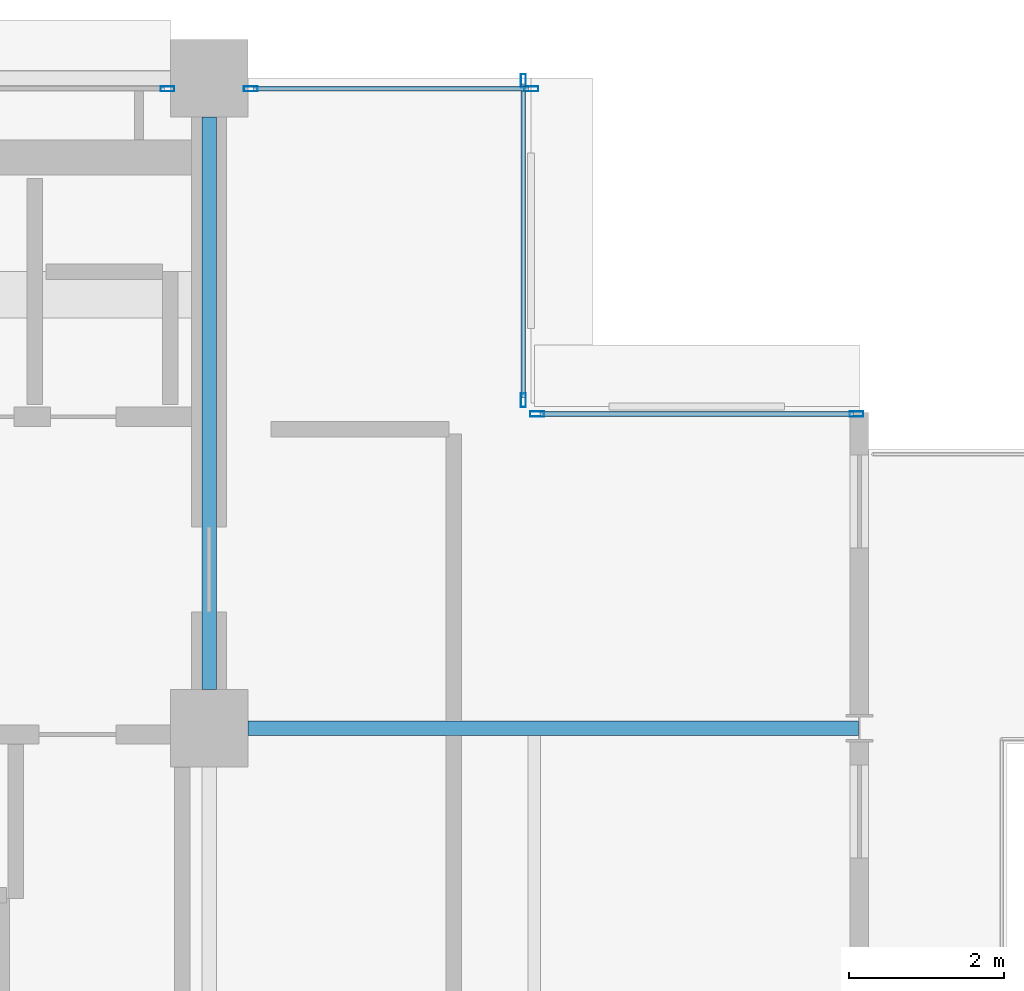
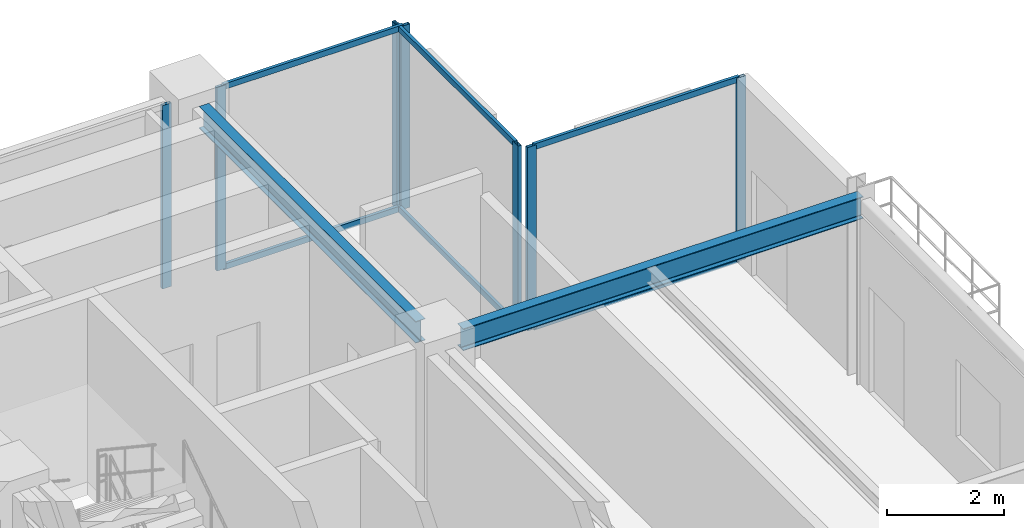
# One storey, part 18 of 26: 13 members, 2 beams, 4 elements without a shape of their own.
"""IFC4 building model written with IfcOpenShell, lengths in metres."""

from ifc_helpers import new_model, si_unit, direction, frame, origin, origin_2d, place, context, subcontext, project, spatial, hollow_rectangle, i_section, extrude, material, layer, layer_set, material_profile, profile_set, type_object, element, aggregate, save


model = new_model("IFC4")

# Units and contexts
model_context = context("Model", 3, precision=1e-05, world=origin(), true_north=direction((0.0, 1.0)))
body_context = subcontext(model_context, "Body", "Model", "MODEL_VIEW")
ifc_project = project(units=[si_unit("LENGTHUNIT", "METRE"), si_unit("AREAUNIT", "SQUARE_METRE"), si_unit("VOLUMEUNIT", "CUBIC_METRE"), si_unit("PLANEANGLEUNIT", "RADIAN"), si_unit("MASSUNIT", "GRAM", prefix="KILO")], contexts=[model_context])

# Site, building, storey
site_placement = place(None, origin())
site = spatial("IfcSite", under=ifc_project, at=site_placement, CompositionType="ELEMENT")
building_placement = place(site_placement, origin())
building = spatial("IfcBuilding", under=site, at=building_placement, Name="Nerrivon Quay Data Exchange", CompositionType="ELEMENT")
storey_placement = place(building_placement, frame((0.0, 0.0, 228.800048828125)))
storey = spatial("IfcBuildingStorey", under=building, at=storey_placement, Name="L54", CompositionType="ELEMENT", Elevation=228.800048828125)

# Beams
ifc_material_1 = material(Name="Steel Grade 350", Category="steel")
ifc_material_profile_1 = material_profile(ifc_material_1, i_section(OverallWidth=0.19091796875, OverallDepth=0.4599609375, WebThickness=0.010009765625, FlangeThickness=0.01611328125, FilletRadius=0.011474609375, at=origin_2d()), Name="460UB82.1")
ifc_profile_set_1 = profile_set([ifc_material_profile_1], Name="Steel Grade 350")
beam_type_1 = type_object("IfcBeamType", Name="BM-G5-460UB82", PredefinedType="BEAM", material=ifc_profile_set_1)
beam_1_placement = place(storey_placement, frame((17.300048828125, 33.60009765625, 3.594970703125), z_axis=(1.0, 0.0, 0.0), x_axis=(0.0, 1.0, 0.0)))
element("IfcBeam", 1, at=beam_1_placement, inside=storey, type_object=beam_type_1, Name="L54 EW Girder Y=33.6 (16.8..25.2)", PredefinedType="BEAM", context=body_context, shape_type="SweptSolid", body=[
    extrude(i_section(OverallWidth=0.19091796875, OverallDepth=0.4599609375, WebThickness=0.010009765625, FlangeThickness=0.01611328125, FilletRadius=0.011474609375, at=origin_2d()), origin(), (0.0, 0.0, 1.0), 7.889892578125),
])
ifc_material_profile_2 = material_profile(ifc_material_1, i_section(OverallWidth=0.18994140625, OverallDepth=0.4541015625, WebThickness=0.008544921875, FlangeThickness=0.0126953125, FilletRadius=0.011474609375, at=origin_2d()), Name="460UB67.1")
ifc_profile_set_2 = profile_set([ifc_material_profile_2], Name="Steel Grade 350")
beam_type_2 = type_object("IfcBeamType", Name="BM-G6-460UB67", PredefinedType="BEAM", material=ifc_profile_set_2)
beam_2_placement = place(storey_placement, frame((16.800048828125, 34.10009765625, 3.597900390625), z_axis=(0.0, 1.0, 0.0), x_axis=(-1.0, 0.0, 0.0)))
element("IfcBeam", 2, at=beam_2_placement, inside=storey, type_object=beam_type_2, Name="L54 NS Girder X=16.8 (33.6..42.0)", PredefinedType="BEAM", context=body_context, shape_type="SweptSolid", body=[
    extrude(i_section(OverallWidth=0.18994140625, OverallDepth=0.4541015625, WebThickness=0.008544921875, FlangeThickness=0.0126953125, FilletRadius=0.011474609375, at=origin_2d()), origin(), (0.0, 0.0, 1.0), 7.39990234375),
])

# Curtain wall, member
ifc_material_2 = material(Name="Anodised aluminium 6063-T6", Category="aluminium")
ifc_layer = layer(ifc_material_2, 0.195068359375)
ifc_layer_set = layer_set([ifc_layer], Name="Anodised aluminium 6063-T6")
curtain_wall_type = type_object("IfcCurtainWallType", Name="CW-SYS-06", PredefinedType="NOTDEFINED", material=ifc_layer_set)
curtain_wall_1_placement = place(storey_placement, origin())
curtain_wall_1 = element("IfcCurtainWall", 3, at=curtain_wall_1_placement, inside=storey, type_object=curtain_wall_type, Name="L54 Unitised Curtain Wall 18", PredefinedType="NOTDEFINED")
ifc_material_profile_3 = material_profile(ifc_material_2, hollow_rectangle(XDim=0.06494140625, YDim=0.179931640625, WallThickness=0.00341796875, at=origin_2d()), Name="ALU-MULL-180x65")
ifc_profile_set_3 = profile_set([ifc_material_profile_3], Name="Anodised aluminium 6063-T6")
member_type_1 = type_object("IfcMemberType", Name="CWM-180x65", PredefinedType="MULLION", material=ifc_profile_set_3)
member_1_placement = place(storey_placement, frame((16.262451171875, 41.860107421875, 0.0), z_axis=(0.0, 0.0, 1.0), x_axis=(0.0, 1.0, 0.0)))
member_1 = element("IfcMember", 4, at=member_1_placement, type_object=member_type_1, Name="CW06 mullion 2", PredefinedType="MULLION", context=body_context, shape_type="SweptSolid", body=[
    extrude(hollow_rectangle(XDim=0.06494140625, YDim=0.179931640625, WallThickness=0.00341796875, at=origin_2d()), origin(), (0.0, 0.0, 1.0), 3.824951171875),
])
aggregate(curtain_wall_1, [member_1])

# Curtain wall, members
curtain_wall_2_placement = place(storey_placement, origin())
curtain_wall_2 = element("IfcCurtainWall", 5, at=curtain_wall_2_placement, inside=storey, type_object=curtain_wall_type, Name="L54 Unitised Curtain Wall 19", PredefinedType="NOTDEFINED")
member_2_placement = place(storey_placement, frame((17.33740234375, 41.860107421875, 0.0), z_axis=(0.0, 0.0, 1.0), x_axis=(0.0, 1.0, 0.0)))
member_2 = element("IfcMember", 6, at=member_2_placement, type_object=member_type_1, Name="CW06 mullion 1", PredefinedType="MULLION", context=body_context, shape_type="SweptSolid", body=[
    extrude(hollow_rectangle(XDim=0.06494140625, YDim=0.179931640625, WallThickness=0.00341796875, at=origin_2d()), origin(), (0.0, 0.0, 1.0), 3.824951171875),
])
member_3_placement = place(storey_placement, frame((20.96240234375, 41.860107421875, 0.0), z_axis=(0.0, 0.0, 1.0), x_axis=(0.0, 1.0, 0.0)))
member_3 = element("IfcMember", 7, at=member_3_placement, type_object=member_type_1, Name="CW06 mullion 2", PredefinedType="MULLION", context=body_context, shape_type="SweptSolid", body=[
    extrude(hollow_rectangle(XDim=0.06494140625, YDim=0.179931640625, WallThickness=0.00341796875, at=origin_2d()), origin(), (0.0, 0.0, 1.0), 3.824951171875),
])

curtain_wall_3_placement = place(storey_placement, origin())
curtain_wall_3 = element("IfcCurtainWall", 8, at=curtain_wall_3_placement, inside=storey, type_object=curtain_wall_type, Name="L54 Unitised Curtain Wall 20", PredefinedType="NOTDEFINED")
member_4_placement = place(storey_placement, frame((20.860107421875, 41.96240234375, 0.0), z_axis=(0.0, 0.0, 1.0), x_axis=(1.0, 0.0, 0.0)))
member_4 = element("IfcMember", 9, at=member_4_placement, type_object=member_type_1, Name="CW06 mullion 1", PredefinedType="MULLION", context=body_context, shape_type="SweptSolid", body=[
    extrude(hollow_rectangle(XDim=0.06494140625, YDim=0.179931640625, WallThickness=0.00341796875, at=origin_2d()), origin(), (0.0, 0.0, 1.0), 3.824951171875),
])
member_5_placement = place(storey_placement, frame((20.860107421875, 37.83740234375, 0.0), z_axis=(0.0, 0.0, 1.0), x_axis=(1.0, 0.0, 0.0)))
member_5 = element("IfcMember", 10, at=member_5_placement, type_object=member_type_1, Name="CW06 mullion 2", PredefinedType="MULLION", context=body_context, shape_type="SweptSolid", body=[
    extrude(hollow_rectangle(XDim=0.06494140625, YDim=0.179931640625, WallThickness=0.00341796875, at=origin_2d()), origin(), (0.0, 0.0, 1.0), 3.824951171875),
])

curtain_wall_4_placement = place(storey_placement, origin())
curtain_wall_4 = element("IfcCurtainWall", 11, at=curtain_wall_4_placement, inside=storey, type_object=curtain_wall_type, Name="L54 Unitised Curtain Wall 21", PredefinedType="NOTDEFINED")
member_6_placement = place(storey_placement, frame((21.03759765625, 37.659912109375, 0.0), z_axis=(0.0, 0.0, 1.0), x_axis=(0.0, 1.0, 0.0)))
member_6 = element("IfcMember", 12, at=member_6_placement, type_object=member_type_1, Name="CW06 mullion 1", PredefinedType="MULLION", context=body_context, shape_type="SweptSolid", body=[
    extrude(hollow_rectangle(XDim=0.06494140625, YDim=0.179931640625, WallThickness=0.00341796875, at=origin_2d()), origin(), (0.0, 0.0, 1.0), 3.824951171875),
])
member_7_placement = place(storey_placement, frame((25.16259765625, 37.659912109375, 0.0), z_axis=(0.0, 0.0, 1.0), x_axis=(0.0, 1.0, 0.0)))
member_7 = element("IfcMember", 13, at=member_7_placement, type_object=member_type_1, Name="CW06 mullion 2", PredefinedType="MULLION", context=body_context, shape_type="SweptSolid", body=[
    extrude(hollow_rectangle(XDim=0.06494140625, YDim=0.179931640625, WallThickness=0.00341796875, at=origin_2d()), origin(), (0.0, 0.0, 1.0), 3.824951171875),
])

# Member
ifc_material_profile_4 = material_profile(ifc_material_2, hollow_rectangle(XDim=0.06005859375, YDim=0.1201171875, WallThickness=0.003173828125, at=origin_2d()), Name="ALU-TRAN-120x60")
ifc_profile_set_4 = profile_set([ifc_material_profile_4], Name="Anodised aluminium 6063-T6")
member_type_2 = type_object("IfcMemberType", Name="CWT-120x60", PredefinedType="USERDEFINED", material=ifc_profile_set_4)
member_8_placement = place(storey_placement, frame((17.375, 41.860107421875, 0.032470703125), z_axis=(1.0, 0.0, 0.0), x_axis=(0.0, 1.0, 0.0)))
member_8 = element("IfcMember", 14, at=member_8_placement, type_object=member_type_2, Name="CW06 transom 1.1", ObjectType="TRANSOM", PredefinedType="USERDEFINED", context=body_context, shape_type="SweptSolid", body=[
    extrude(hollow_rectangle(XDim=0.06005859375, YDim=0.1201171875, WallThickness=0.003173828125, at=origin_2d()), origin(), (0.0, 0.0, 1.0), 3.550048828125),
])

member_9_placement = place(storey_placement, frame((17.375, 41.860107421875, 3.79248046875), z_axis=(1.0, 0.0, 0.0), x_axis=(0.0, 1.0, 0.0)))
member_9 = element("IfcMember", 15, at=member_9_placement, type_object=member_type_2, Name="CW06 transom 1.2", ObjectType="TRANSOM", PredefinedType="USERDEFINED", context=body_context, shape_type="SweptSolid", body=[
    extrude(hollow_rectangle(XDim=0.06005859375, YDim=0.1201171875, WallThickness=0.003173828125, at=origin_2d()), origin(), (0.0, 0.0, 1.0), 3.550048828125),
])

aggregate(curtain_wall_2, [member_2, member_3, member_8, member_9])

member_10_placement = place(storey_placement, frame((20.860107421875, 41.925048828125, 0.032470703125), z_axis=(0.0, -1.0, 0.0), x_axis=(1.0, 0.0, 0.0)))
member_10 = element("IfcMember", 16, at=member_10_placement, type_object=member_type_2, Name="CW06 transom 1.1", ObjectType="TRANSOM", PredefinedType="USERDEFINED", context=body_context, shape_type="SweptSolid", body=[
    extrude(hollow_rectangle(XDim=0.06005859375, YDim=0.1201171875, WallThickness=0.003173828125, at=origin_2d()), origin(), (0.0, 0.0, 1.0), 4.050048828125),
])

member_11_placement = place(storey_placement, frame((20.860107421875, 41.925048828125, 3.79248046875), z_axis=(0.0, -1.0, 0.0), x_axis=(1.0, 0.0, 0.0)))
member_11 = element("IfcMember", 17, at=member_11_placement, type_object=member_type_2, Name="CW06 transom 1.2", ObjectType="TRANSOM", PredefinedType="USERDEFINED", context=body_context, shape_type="SweptSolid", body=[
    extrude(hollow_rectangle(XDim=0.06005859375, YDim=0.1201171875, WallThickness=0.003173828125, at=origin_2d()), origin(), (0.0, 0.0, 1.0), 4.050048828125),
])

aggregate(curtain_wall_3, [member_4, member_5, member_10, member_11])

member_12_placement = place(storey_placement, frame((21.074951171875, 37.659912109375, 0.032470703125), z_axis=(1.0, 0.0, 0.0), x_axis=(0.0, 1.0, 0.0)))
member_12 = element("IfcMember", 18, at=member_12_placement, type_object=member_type_2, Name="CW06 transom 1.1", ObjectType="TRANSOM", PredefinedType="USERDEFINED", context=body_context, shape_type="SweptSolid", body=[
    extrude(hollow_rectangle(XDim=0.06005859375, YDim=0.1201171875, WallThickness=0.003173828125, at=origin_2d()), origin(), (0.0, 0.0, 1.0), 4.050048828125),
])

member_13_placement = place(storey_placement, frame((21.074951171875, 37.659912109375, 3.79248046875), z_axis=(1.0, 0.0, 0.0), x_axis=(0.0, 1.0, 0.0)))
member_13 = element("IfcMember", 19, at=member_13_placement, type_object=member_type_2, Name="CW06 transom 1.2", ObjectType="TRANSOM", PredefinedType="USERDEFINED", context=body_context, shape_type="SweptSolid", body=[
    extrude(hollow_rectangle(XDim=0.06005859375, YDim=0.1201171875, WallThickness=0.003173828125, at=origin_2d()), origin(), (0.0, 0.0, 1.0), 4.050048828125),
])

aggregate(curtain_wall_4, [member_6, member_7, member_12, member_13])

save(model, "model.ifc")
